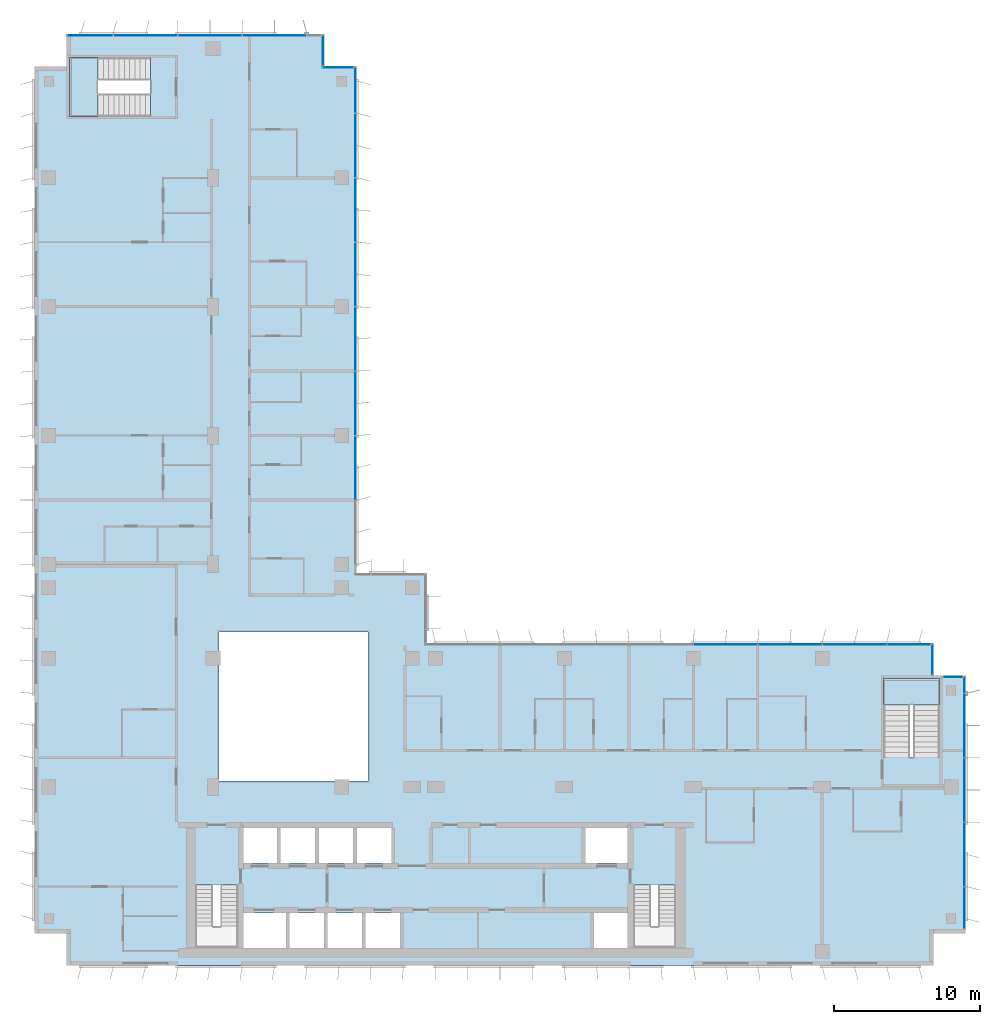
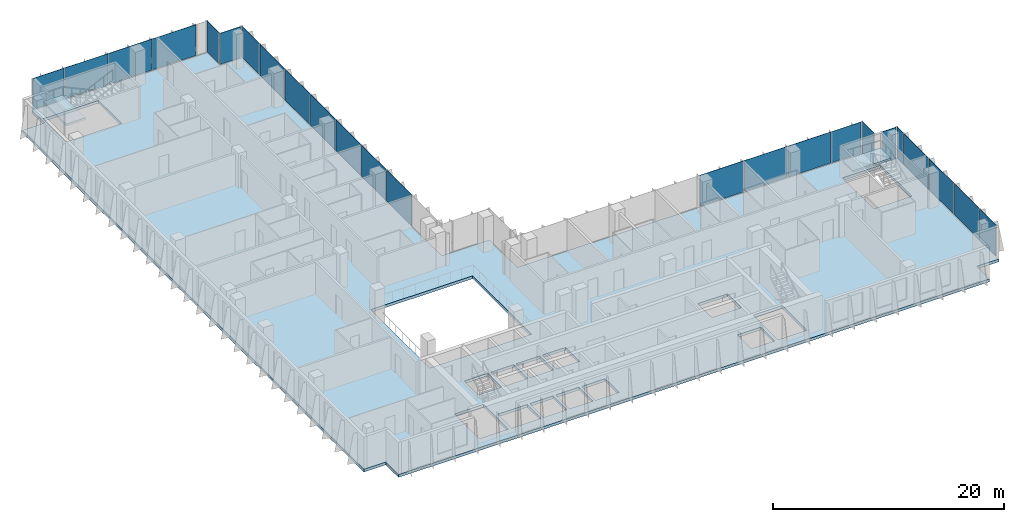
# One storey, part 11 of 21: 24 plates, 3 slabs, 10 elements without a shape of their own.
"""IFC4 building model written with IfcOpenShell, lengths in metres."""

from ifc_helpers import new_model, si_unit, direction, frame, origin, origin_2d, place, context, subcontext, project, spatial, polyline, rectangle, outline, extrude, source, transform, mapped, material, layer, layer_set, type_object, element, aggregate, save


model = new_model("IFC4")

# Units and contexts
model_context = context("Model", 3, precision=1e-05, world=origin(), true_north=direction((0.0, 1.0)))
body_context = subcontext(model_context, "Body", "Model", "MODEL_VIEW")
ifc_project = project(units=[si_unit("LENGTHUNIT", "METRE"), si_unit("AREAUNIT", "SQUARE_METRE"), si_unit("VOLUMEUNIT", "CUBIC_METRE"), si_unit("PLANEANGLEUNIT", "RADIAN"), si_unit("MASSUNIT", "GRAM", prefix="KILO")], contexts=[model_context])

# Site, building, storey
site_placement = place(None, origin())
site = spatial("IfcSite", under=ifc_project, at=site_placement, CompositionType="ELEMENT")
building_placement = place(site_placement, origin())
building = spatial("IfcBuilding", under=site, at=building_placement, Name="Kemantara Hotel Tower", CompositionType="ELEMENT")
storey_placement = place(building_placement, frame((0.0, 0.0, 167.89990234375)))
storey = spatial("IfcBuildingStorey", under=building, at=storey_placement, Name="L41", CompositionType="ELEMENT", Elevation=167.89990234375)

# Slab
ifc_material_1 = material(Name="Concrete fc 40 MPa", Category="concrete")
ifc_layer_1 = layer(ifc_material_1, 0.300048828125)
ifc_layer_set_1 = layer_set([ifc_layer_1], Name="Concrete fc 40 MPa")
slab_type_1 = type_object("IfcSlabType", Name="POST-TENSIONED FLAT PLATE 300", PredefinedType="FLOOR", material=ifc_layer_set_1)
slab_1_placement = place(storey_placement, frame((0.0, 0.0, -0.2998046875)))
element("IfcSlab", 1, at=slab_1_placement, inside=storey, type_object=slab_type_1, Name="FLOOR SLAB L41", PredefinedType="FLOOR", context=body_context, shape_type="SweptSolid", body=[
    extrude(outline(polyline([(22.0, 26.800048828125), (22.0, 61.39990234375), (19.800048828125, 61.39990234375), (19.800048828125, 63.60009765625), (2.199951171875, 63.60009765625), (2.199951171875, 61.39990234375), (0.0, 61.39990234375), (0.0, 2.199951171875), (2.199951171875, 2.199951171875), (2.199951171875, 0.0), (61.39990234375, 0.0), (61.39990234375, 2.199951171875), (63.60009765625, 2.199951171875), (63.60009765625, 19.800048828125), (61.39990234375, 19.800048828125), (61.39990234375, 22.0), (26.800048828125, 22.0), (26.800048828125, 26.800048828125), (22.0, 26.800048828125)]), holes=[polyline([(17.175048828125, 3.60009765625), (17.175048828125, 1.199951171875), (14.22509765625, 1.199951171875), (14.22509765625, 3.60009765625), (17.175048828125, 3.60009765625)]), polyline([(19.77490234375, 1.199951171875), (17.425048828125, 1.199951171875), (17.425048828125, 3.60009765625), (19.77490234375, 3.60009765625), (19.77490234375, 1.199951171875)]), polyline([(11.0, 1.199951171875), (11.0, 5.49951171875), (13.89990234375, 5.49951171875), (13.89990234375, 1.199951171875), (11.0, 1.199951171875)]), polyline([(16.574951171875, 7.0), (14.22509765625, 7.0), (14.22509765625, 9.39990234375), (16.574951171875, 9.39990234375), (16.574951171875, 7.0)]), polyline([(19.175048828125, 7.0), (16.824951171875, 7.0), (16.824951171875, 9.39990234375), (19.175048828125, 9.39990234375), (19.175048828125, 7.0)]), polyline([(21.77490234375, 7.0), (19.425048828125, 7.0), (19.425048828125, 9.39990234375), (21.77490234375, 9.39990234375), (21.77490234375, 7.0)]), polyline([(22.800048828125, 12.60009765625), (12.60009765625, 12.60009765625), (12.60009765625, 22.800048828125), (22.800048828125, 22.800048828125), (22.800048828125, 12.60009765625)]), polyline([(2.39990234375, 62.0), (7.949462890625, 62.0), (7.949462890625, 58.0), (2.39990234375, 58.0), (2.39990234375, 62.0)]), polyline([(22.375, 1.199951171875), (20.02490234375, 1.199951171875), (20.02490234375, 3.60009765625), (22.375, 3.60009765625), (22.375, 1.199951171875)]), polyline([(24.97509765625, 1.199951171875), (22.625, 1.199951171875), (22.625, 3.60009765625), (24.97509765625, 3.60009765625), (24.97509765625, 1.199951171875)]), polyline([(40.574951171875, 1.199951171875), (38.22509765625, 1.199951171875), (38.22509765625, 3.60009765625), (40.574951171875, 3.60009765625), (40.574951171875, 1.199951171875)]), polyline([(40.89990234375, 1.199951171875), (40.89990234375, 5.49951171875), (43.800048828125, 5.49951171875), (43.800048828125, 1.199951171875), (40.89990234375, 1.199951171875)]), polyline([(24.375, 7.0), (22.02490234375, 7.0), (22.02490234375, 9.39990234375), (24.375, 9.39990234375), (24.375, 7.0)]), polyline([(40.574951171875, 7.0), (37.625, 7.0), (37.625, 9.39990234375), (40.574951171875, 9.39990234375), (40.574951171875, 7.0)]), polyline([(61.800048828125, 19.60009765625), (61.800048828125, 14.20068359375), (58.0, 14.20068359375), (58.0, 19.60009765625), (61.800048828125, 19.60009765625)])]), origin(), (0.0, 0.0, 1.0), 0.2998046875),
])

# Stair, slab
stair_type_1 = type_object("IfcStairType", Name="Stair 1800 wide 22 risers of 168 x 360 mm", PredefinedType="HALF_TURN_STAIR", material=ifc_material_1)
stair_1_placement = place(storey_placement, origin())
stair_1 = element("IfcStair", 2, at=stair_1_placement, inside=storey, type_object=stair_type_1, Name="L41 Exit stair ST3", PredefinedType="HALF_TURN_STAIR")
ifc_layer_2 = layer(ifc_material_1, 0.199951171875)
ifc_layer_set_2 = layer_set([ifc_layer_2], Name="Concrete fc 40 MPa")
slab_type_2 = type_object("IfcSlabType", Name="Stair landing 200 mm", PredefinedType="LANDING", material=ifc_layer_set_2)
slab_2_placement = place(storey_placement, frame((0.0, 0.0, 1.650146484375)))
slab_2 = element("IfcSlab", 3, at=slab_2_placement, type_object=slab_type_2, Name="ST3 landing 1", PredefinedType="LANDING", context=body_context, shape_type="SweptSolid", body=[
    extrude(outline(polyline([(61.800048828125, 17.800048828125), (61.800048828125, 19.60009765625), (58.0, 19.60009765625), (58.0, 17.800048828125), (61.800048828125, 17.800048828125)])), origin(), (0.0, 0.0, 1.0), 0.199951171875),
])
aggregate(stair_1, [slab_2])

stair_type_2 = type_object("IfcStairType", Name="Stair 1550 wide 22 risers of 168 x 360 mm", PredefinedType="HALF_TURN_STAIR", material=ifc_material_1)
stair_2_placement = place(storey_placement, origin())
stair_2 = element("IfcStair", 4, at=stair_2_placement, inside=storey, type_object=stair_type_2, Name="L41 Exit stair ST4", PredefinedType="HALF_TURN_STAIR")
slab_3_placement = place(storey_placement, frame((0.0, 0.0, 1.650146484375)))
slab_3 = element("IfcSlab", 5, at=slab_3_placement, type_object=slab_type_2, Name="ST4 landing 1", PredefinedType="LANDING", context=body_context, shape_type="SweptSolid", body=[
    extrude(outline(polyline([(4.35009765625, 62.0), (2.39990234375, 62.0), (2.39990234375, 58.0), (4.35009765625, 58.0), (4.35009765625, 62.0)])), origin(), (0.0, 0.0, 1.0), 0.199951171875),
])
aggregate(stair_2, [slab_3])

# Curtain wall, plate
ifc_material_2 = material(Name="Low-E tinted double insulated glass 36 mm", Category="glass")
curtain_wall_type = type_object("IfcCurtainWallType", Name="TOWER CURTAIN WALL, FRONT FACES", PredefinedType="USERDEFINED", material=ifc_material_2)
curtain_wall_1_placement = place(storey_placement, origin())
curtain_wall_1 = element("IfcCurtainWall", 6, at=curtain_wall_1_placement, inside=storey, type_object=curtain_wall_type, Name="CW4 L41 T3-R11-1", ObjectType="TOWER CURTAIN WALL, FRONT FACES", PredefinedType="USERDEFINED")
ifc_layer_3 = layer(ifc_material_2, 0.035888671875)
ifc_layer_set_3 = layer_set([ifc_layer_3], Name="Low-E tinted double insulated glass 36 mm")
plate_type = type_object("IfcPlateType", Name="TOWER CURTAIN WALL, FRONT FACES PANEL", PredefinedType="CURTAIN_PANEL", material=ifc_layer_set_3)
shared_shape_1 = source(origin(), body_context, "Body", "SweptSolid", [
    extrude(rectangle(XDim=2.81005859375, YDim=0.035888671875, at=origin_2d()), origin(), (0.0, 0.0, 1.0), 3.280029296875),
])
plate_1_placement = place(storey_placement, frame((63.52490234375, 3.965087890625, 0.1201171875), z_axis=(0.0, 0.0, 1.0), x_axis=(0.0, 1.0, 0.0)))
plate_1 = element("IfcPlate", 7, at=plate_1_placement, type_object=plate_type, Name="CW4 glass panel T3-R11-1.1", PredefinedType="CURTAIN_PANEL", context=body_context, shape_type="MappedRepresentation", body=[
    mapped(shared_shape_1, transform((0.0, 0.0, 0.0))),
])

# Curtain wall, plates
curtain_wall_2_placement = place(storey_placement, origin())
curtain_wall_2 = element("IfcCurtainWall", 8, at=curtain_wall_2_placement, inside=storey, type_object=curtain_wall_type, Name="CW4 L41 T3-R02-1", ObjectType="TOWER CURTAIN WALL, FRONT FACES", PredefinedType="USERDEFINED")
shared_shape_2 = source(origin(), body_context, "Body", "SweptSolid", [
    extrude(rectangle(XDim=4.340087890625, YDim=0.035888671875, at=origin_2d()), origin(), (0.0, 0.0, 1.0), 3.280029296875),
])
plate_2_placement = place(storey_placement, frame((16.39990234375, 63.52490234375, 0.1201171875), z_axis=(0.0, 0.0, 1.0), x_axis=(-1.0, 0.0, 0.0)))
plate_2 = element("IfcPlate", 9, at=plate_2_placement, type_object=plate_type, Name="CW4 glass panel T3-R02-1.2", PredefinedType="CURTAIN_PANEL", context=body_context, shape_type="MappedRepresentation", body=[
    mapped(shared_shape_2, transform((0.0, 0.0, 0.0))),
])
plate_3_placement = place(storey_placement, frame((12.0, 63.52490234375, 0.1201171875), z_axis=(0.0, 0.0, 1.0), x_axis=(-1.0, 0.0, 0.0)))
plate_3 = element("IfcPlate", 10, at=plate_3_placement, type_object=plate_type, Name="CW4 glass panel T3-R02-1.3", PredefinedType="CURTAIN_PANEL", context=body_context, shape_type="MappedRepresentation", body=[
    mapped(shared_shape_2, transform((0.0, 0.0, 0.0))),
])
plate_4_placement = place(storey_placement, frame((7.60009765625, 63.52490234375, 0.1201171875), z_axis=(0.0, 0.0, 1.0), x_axis=(-1.0, 0.0, 0.0)))
plate_4 = element("IfcPlate", 11, at=plate_4_placement, type_object=plate_type, Name="CW4 glass panel T3-R02-1.4", PredefinedType="CURTAIN_PANEL", context=body_context, shape_type="MappedRepresentation", body=[
    mapped(shared_shape_2, transform((0.0, 0.0, 0.0))),
])

# Plate
plate_5_placement = place(storey_placement, frame((63.52490234375, 7.60009765625, 0.1201171875), z_axis=(0.0, 0.0, 1.0), x_axis=(0.0, 1.0, 0.0)))
plate_5 = element("IfcPlate", 12, at=plate_5_placement, type_object=plate_type, Name="CW4 glass panel T3-R11-1.2", PredefinedType="CURTAIN_PANEL", context=body_context, shape_type="MappedRepresentation", body=[
    mapped(shared_shape_2, transform((0.0, 0.0, 0.0))),
])

plate_6_placement = place(storey_placement, frame((63.52490234375, 12.0, 0.1201171875), z_axis=(0.0, 0.0, 1.0), x_axis=(0.0, 1.0, 0.0)))
plate_6 = element("IfcPlate", 13, at=plate_6_placement, type_object=plate_type, Name="CW4 glass panel T3-R11-1.3", PredefinedType="CURTAIN_PANEL", context=body_context, shape_type="MappedRepresentation", body=[
    mapped(shared_shape_2, transform((0.0, 0.0, 0.0))),
])

plate_7_placement = place(storey_placement, frame((63.52490234375, 16.39990234375, 0.1201171875), z_axis=(0.0, 0.0, 1.0), x_axis=(0.0, 1.0, 0.0)))
plate_7 = element("IfcPlate", 14, at=plate_7_placement, type_object=plate_type, Name="CW4 glass panel T3-R11-1.4", PredefinedType="CURTAIN_PANEL", context=body_context, shape_type="MappedRepresentation", body=[
    mapped(shared_shape_2, transform((0.0, 0.0, 0.0))),
])

# Curtain wall, plates
curtain_wall_3_placement = place(storey_placement, origin())
curtain_wall_3 = element("IfcCurtainWall", 15, at=curtain_wall_3_placement, inside=storey, type_object=curtain_wall_type, Name="CW4 L41 T3-R14-1", ObjectType="TOWER CURTAIN WALL, FRONT FACES", PredefinedType="USERDEFINED")
plate_8_placement = place(storey_placement, frame((56.0, 21.925048828125, 0.1201171875), z_axis=(0.0, 0.0, 1.0), x_axis=(-1.0, 0.0, 0.0)))
plate_8 = element("IfcPlate", 16, at=plate_8_placement, type_object=plate_type, Name="CW4 glass panel T3-R14-1.2", PredefinedType="CURTAIN_PANEL", context=body_context, shape_type="MappedRepresentation", body=[
    mapped(shared_shape_2, transform((0.0, 0.0, 0.0))),
])
plate_9_placement = place(storey_placement, frame((51.60009765625, 21.925048828125, 0.1201171875), z_axis=(0.0, 0.0, 1.0), x_axis=(-1.0, 0.0, 0.0)))
plate_9 = element("IfcPlate", 17, at=plate_9_placement, type_object=plate_type, Name="CW4 glass panel T3-R14-1.3", PredefinedType="CURTAIN_PANEL", context=body_context, shape_type="MappedRepresentation", body=[
    mapped(shared_shape_2, transform((0.0, 0.0, 0.0))),
])
plate_10_placement = place(storey_placement, frame((47.199951171875, 21.925048828125, 0.1201171875), z_axis=(0.0, 0.0, 1.0), x_axis=(-1.0, 0.0, 0.0)))
plate_10 = element("IfcPlate", 18, at=plate_10_placement, type_object=plate_type, Name="CW4 glass panel T3-R14-1.4", PredefinedType="CURTAIN_PANEL", context=body_context, shape_type="MappedRepresentation", body=[
    mapped(shared_shape_2, transform((0.0, 0.0, 0.0))),
])

curtain_wall_4_placement = place(storey_placement, origin())
curtain_wall_4 = element("IfcCurtainWall", 19, at=curtain_wall_4_placement, inside=storey, type_object=curtain_wall_type, Name="CW4 L41 T3-R17-1", ObjectType="TOWER CURTAIN WALL, FRONT FACES", PredefinedType="USERDEFINED")
plate_11_placement = place(storey_placement, frame((21.925048828125, 34.0, 0.1201171875), z_axis=(0.0, 0.0, 1.0), x_axis=(0.0, 1.0, 0.0)))
plate_11 = element("IfcPlate", 20, at=plate_11_placement, type_object=plate_type, Name="CW4 glass panel T3-R17-1.3", PredefinedType="CURTAIN_PANEL", context=body_context, shape_type="MappedRepresentation", body=[
    mapped(shared_shape_2, transform((0.0, 0.0, 0.0))),
])
plate_12_placement = place(storey_placement, frame((21.925048828125, 38.39990234375, 0.1201171875), z_axis=(0.0, 0.0, 1.0), x_axis=(0.0, 1.0, 0.0)))
plate_12 = element("IfcPlate", 21, at=plate_12_placement, type_object=plate_type, Name="CW4 glass panel T3-R17-1.4", PredefinedType="CURTAIN_PANEL", context=body_context, shape_type="MappedRepresentation", body=[
    mapped(shared_shape_2, transform((0.0, 0.0, 0.0))),
])
plate_13_placement = place(storey_placement, frame((21.925048828125, 42.800048828125, 0.1201171875), z_axis=(0.0, 0.0, 1.0), x_axis=(0.0, 1.0, 0.0)))
plate_13 = element("IfcPlate", 22, at=plate_13_placement, type_object=plate_type, Name="CW4 glass panel T3-R17-1.5", PredefinedType="CURTAIN_PANEL", context=body_context, shape_type="MappedRepresentation", body=[
    mapped(shared_shape_2, transform((0.0, 0.0, 0.0))),
])
plate_14_placement = place(storey_placement, frame((21.925048828125, 47.199951171875, 0.1201171875), z_axis=(0.0, 0.0, 1.0), x_axis=(0.0, 1.0, 0.0)))
plate_14 = element("IfcPlate", 23, at=plate_14_placement, type_object=plate_type, Name="CW4 glass panel T3-R17-1.6", PredefinedType="CURTAIN_PANEL", context=body_context, shape_type="MappedRepresentation", body=[
    mapped(shared_shape_2, transform((0.0, 0.0, 0.0))),
])
plate_15_placement = place(storey_placement, frame((21.925048828125, 51.60009765625, 0.1201171875), z_axis=(0.0, 0.0, 1.0), x_axis=(0.0, 1.0, 0.0)))
plate_15 = element("IfcPlate", 24, at=plate_15_placement, type_object=plate_type, Name="CW4 glass panel T3-R17-1.7", PredefinedType="CURTAIN_PANEL", context=body_context, shape_type="MappedRepresentation", body=[
    mapped(shared_shape_2, transform((0.0, 0.0, 0.0))),
])
plate_16_placement = place(storey_placement, frame((21.925048828125, 56.0, 0.1201171875), z_axis=(0.0, 0.0, 1.0), x_axis=(0.0, 1.0, 0.0)))
plate_16 = element("IfcPlate", 25, at=plate_16_placement, type_object=plate_type, Name="CW4 glass panel T3-R17-1.8", PredefinedType="CURTAIN_PANEL", context=body_context, shape_type="MappedRepresentation", body=[
    mapped(shared_shape_2, transform((0.0, 0.0, 0.0))),
])

# Plate
shared_shape_3 = source(origin(), body_context, "Body", "SweptSolid", [
    extrude(rectangle(XDim=3.110107421875, YDim=0.035888671875, at=origin_2d()), origin(), (0.0, 0.0, 1.0), 3.280029296875),
])
plate_17_placement = place(storey_placement, frame((3.81494140625, 63.52490234375, 0.1201171875), z_axis=(0.0, 0.0, 1.0), x_axis=(-1.0, 0.0, 0.0)))
plate_17 = element("IfcPlate", 26, at=plate_17_placement, type_object=plate_type, Name="CW4 glass panel T3-R02-1.5", PredefinedType="CURTAIN_PANEL", context=body_context, shape_type="MappedRepresentation", body=[
    mapped(shared_shape_3, transform((0.0, 0.0, 0.0))),
])

aggregate(curtain_wall_2, [plate_2, plate_3, plate_4, plate_17])

plate_18_placement = place(storey_placement, frame((21.925048828125, 59.784912109375, 0.1201171875), z_axis=(0.0, 0.0, 1.0), x_axis=(0.0, 1.0, 0.0)))
plate_18 = element("IfcPlate", 27, at=plate_18_placement, type_object=plate_type, Name="CW4 glass panel T3-R17-1.9", PredefinedType="CURTAIN_PANEL", context=body_context, shape_type="MappedRepresentation", body=[
    mapped(shared_shape_3, transform((0.0, 0.0, 0.0))),
])

aggregate(curtain_wall_4, [plate_11, plate_12, plate_13, plate_14, plate_15, plate_16, plate_18])

# Curtain wall, plate
curtain_wall_5_placement = place(storey_placement, origin())
curtain_wall_5 = element("IfcCurtainWall", 28, at=curtain_wall_5_placement, inside=storey, type_object=curtain_wall_type, Name="CW4 L41 T3-R00-1", ObjectType="TOWER CURTAIN WALL, FRONT FACES", PredefinedType="USERDEFINED")
shared_shape_4 = source(origin(), body_context, "Body", "SweptSolid", [
    extrude(rectangle(XDim=2.080078125, YDim=0.035888671875, at=origin_2d()), origin(), (0.0, 0.0, 1.0), 3.280029296875),
])
plate_19_placement = place(storey_placement, frame((20.75, 61.324951171875, 0.1201171875), z_axis=(0.0, 0.0, 1.0), x_axis=(-1.0, 0.0, 0.0)))
plate_19 = element("IfcPlate", 29, at=plate_19_placement, type_object=plate_type, Name="CW4 glass panel T3-R00-1.1", PredefinedType="CURTAIN_PANEL", context=body_context, shape_type="MappedRepresentation", body=[
    mapped(shared_shape_4, transform((0.0, 0.0, 0.0))),
])
aggregate(curtain_wall_5, [plate_19])

curtain_wall_6_placement = place(storey_placement, origin())
curtain_wall_6 = element("IfcCurtainWall", 30, at=curtain_wall_6_placement, inside=storey, type_object=curtain_wall_type, Name="CW4 L41 T3-R01-1", ObjectType="TOWER CURTAIN WALL, FRONT FACES", PredefinedType="USERDEFINED")
plate_20_placement = place(storey_placement, frame((19.72509765625, 62.5, 0.1201171875), z_axis=(0.0, 0.0, 1.0), x_axis=(0.0, 1.0, 0.0)))
plate_20 = element("IfcPlate", 31, at=plate_20_placement, type_object=plate_type, Name="CW4 glass panel T3-R01-1.1", PredefinedType="CURTAIN_PANEL", context=body_context, shape_type="MappedRepresentation", body=[
    mapped(shared_shape_4, transform((0.0, 0.0, 0.0))),
])
aggregate(curtain_wall_6, [plate_20])

curtain_wall_7_placement = place(storey_placement, origin())
curtain_wall_7 = element("IfcCurtainWall", 32, at=curtain_wall_7_placement, inside=storey, type_object=curtain_wall_type, Name="CW4 L41 T3-R13-1", ObjectType="TOWER CURTAIN WALL, FRONT FACES", PredefinedType="USERDEFINED")
plate_21_placement = place(storey_placement, frame((61.324951171875, 20.89990234375, 0.1201171875), z_axis=(0.0, 0.0, 1.0), x_axis=(0.0, 1.0, 0.0)))
plate_21 = element("IfcPlate", 33, at=plate_21_placement, type_object=plate_type, Name="CW4 glass panel T3-R13-1.1", PredefinedType="CURTAIN_PANEL", context=body_context, shape_type="MappedRepresentation", body=[
    mapped(shared_shape_4, transform((0.0, 0.0, 0.0))),
])
aggregate(curtain_wall_7, [plate_21])

# Plate
shared_shape_5 = source(origin(), body_context, "Body", "SweptSolid", [
    extrude(rectangle(XDim=2.9599609375, YDim=0.035888671875, at=origin_2d()), origin(), (0.0, 0.0, 1.0), 3.280029296875),
])
plate_22_placement = place(storey_placement, frame((59.7099609375, 21.925048828125, 0.1201171875), z_axis=(0.0, 0.0, 1.0), x_axis=(-1.0, 0.0, 0.0)))
plate_22 = element("IfcPlate", 34, at=plate_22_placement, type_object=plate_type, Name="CW4 glass panel T3-R14-1.1", PredefinedType="CURTAIN_PANEL", context=body_context, shape_type="MappedRepresentation", body=[
    mapped(shared_shape_5, transform((0.0, 0.0, 0.0))),
])

aggregate(curtain_wall_3, [plate_22, plate_8, plate_9, plate_10])

shared_shape_6 = source(origin(), body_context, "Body", "SweptSolid", [
    extrude(rectangle(XDim=1.110107421875, YDim=0.035888671875, at=origin_2d()), origin(), (0.0, 0.0, 1.0), 3.280029296875),
])
plate_23_placement = place(storey_placement, frame((63.52490234375, 19.18505859375, 0.1201171875), z_axis=(0.0, 0.0, 1.0), x_axis=(0.0, 1.0, 0.0)))
plate_23 = element("IfcPlate", 35, at=plate_23_placement, type_object=plate_type, Name="CW4 glass panel T3-R11-1.5", PredefinedType="CURTAIN_PANEL", context=body_context, shape_type="MappedRepresentation", body=[
    mapped(shared_shape_6, transform((0.0, 0.0, 0.0))),
])

aggregate(curtain_wall_1, [plate_1, plate_5, plate_6, plate_7, plate_23])

# Curtain wall, plate
curtain_wall_8_placement = place(storey_placement, origin())
curtain_wall_8 = element("IfcCurtainWall", 36, at=curtain_wall_8_placement, inside=storey, type_object=curtain_wall_type, Name="CW4 L41 T3-R12-1", ObjectType="TOWER CURTAIN WALL, FRONT FACES", PredefinedType="USERDEFINED")
shared_shape_7 = source(origin(), body_context, "Body", "SweptSolid", [
    extrude(rectangle(XDim=1.330078125, YDim=0.035888671875, at=origin_2d()), origin(), (0.0, 0.0, 1.0), 3.280029296875),
])
plate_24_placement = place(storey_placement, frame((62.72509765625, 19.72509765625, 0.1201171875), z_axis=(0.0, 0.0, 1.0), x_axis=(-1.0, 0.0, 0.0)))
plate_24 = element("IfcPlate", 37, at=plate_24_placement, type_object=plate_type, Name="CW4 glass panel T3-R12-1.1", PredefinedType="CURTAIN_PANEL", context=body_context, shape_type="MappedRepresentation", body=[
    mapped(shared_shape_7, transform((0.0, 0.0, 0.0))),
])
aggregate(curtain_wall_8, [plate_24])

save(model, "model.ifc")
